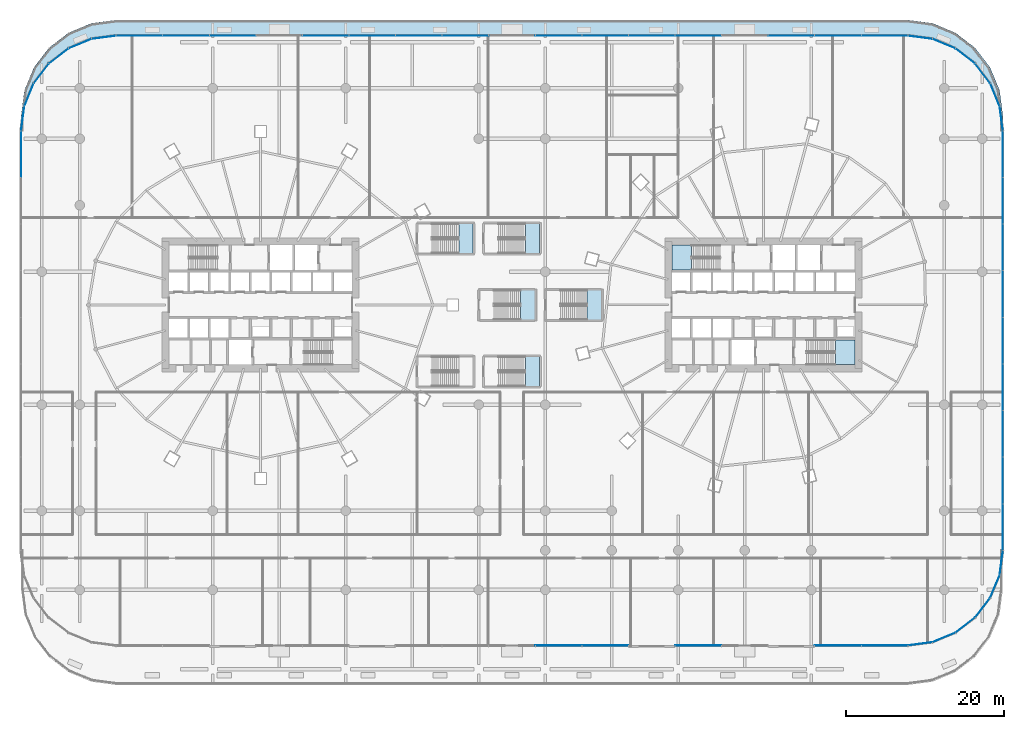
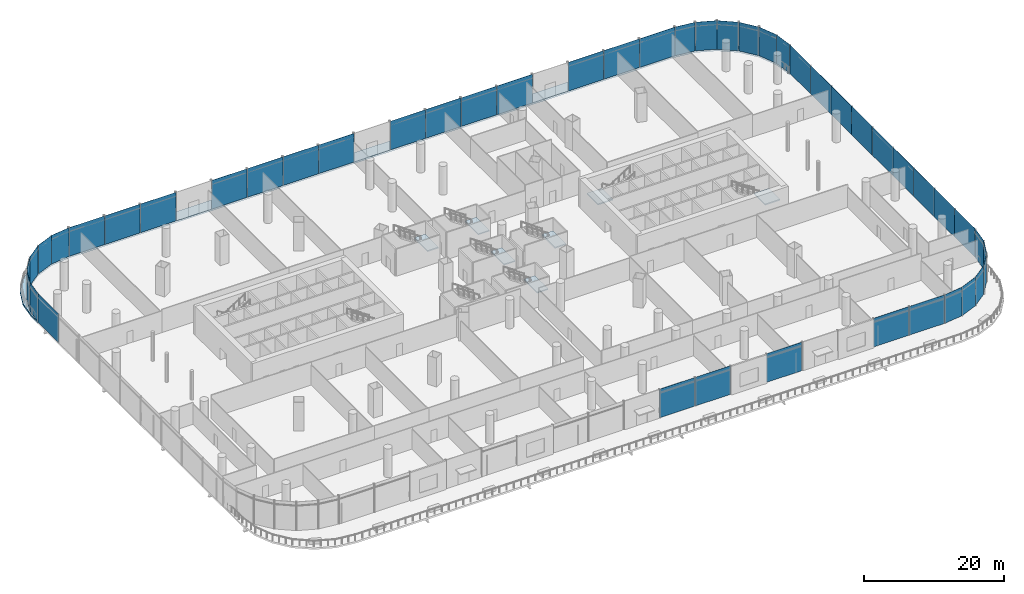
# One storey, part 32 of 51: 47 plates, 8 slabs, 8 elements without a shape of their own.
"""IFC4 building model written with IfcOpenShell, lengths in metres."""

from ifc_helpers import new_model, si_unit, direction, frame, origin, origin_2d, place, context, subcontext, project, spatial, polyline, rectangle, outline, extrude, material, layer, layer_set, type_object, element, aggregate, save


model = new_model("IFC4")

# Units and contexts
model_context = context("Model", 3, precision=1e-05, world=origin(), true_north=direction((0.0, 1.0)))
body_context = subcontext(model_context, "Body", "Model", "MODEL_VIEW")
ifc_project = project(units=[si_unit("LENGTHUNIT", "METRE"), si_unit("AREAUNIT", "SQUARE_METRE"), si_unit("VOLUMEUNIT", "CUBIC_METRE"), si_unit("PLANEANGLEUNIT", "RADIAN"), si_unit("MASSUNIT", "GRAM", prefix="KILO")], contexts=[model_context])

# Site, building, storey
site_placement = place(None, origin())
site = spatial("IfcSite", under=ifc_project, at=site_placement, CompositionType="ELEMENT")
building_placement = place(site_placement, origin())
building = spatial("IfcBuilding", under=site, at=building_placement, Name="Rimbun Link Towers", CompositionType="ELEMENT")
storey_placement = place(building_placement, frame((0.0, 0.0, 7.0)))
storey = spatial("IfcBuildingStorey", under=building, at=storey_placement, Name="L01", CompositionType="ELEMENT", Elevation=7.0)

# Curtain wall, plates
ifc_material_1 = material(Name="Aluminium 6063-T6 and low-iron glass", Category="aluminium")
curtain_wall_type = type_object("IfcCurtainWallType", Name="CW3 podium shopfront", PredefinedType="NOTDEFINED", material=ifc_material_1)
curtain_wall_placement = place(storey_placement, origin())
curtain_wall = element("IfcCurtainWall", 1, at=curtain_wall_placement, inside=storey, type_object=curtain_wall_type, Name="CW3 L01 PD", PredefinedType="NOTDEFINED")
ifc_material_2 = material(Name="Clear toughened low-iron glass", Category="glass")
ifc_layer_1 = layer(ifc_material_2, 0.02392578125)
ifc_layer_set_1 = layer_set([ifc_layer_1], Name="CW3 panel Clear toughened low-iron glass 24")
plate_type = type_object("IfcPlateType", Name="CW3 panel Clear toughened low-iron glass 24", PredefinedType="CURTAIN_PANEL", material=ifc_layer_set_1)
plate_1_placement = place(storey_placement, frame((51.554443359375, -42.807373046875, 0.0), z_axis=(0.0, 0.0, 1.0), x_axis=(-0.991444296525, -0.130530482602, 0.0)))
plate_1 = element("IfcPlate", 2, at=plate_1_placement, type_object=plate_type, Name="CW3 panel", PredefinedType="CURTAIN_PANEL", context=body_context, shape_type="SweptSolid", body=[
    extrude(rectangle(XDim=3.092529296875, YDim=0.02392578125, at=origin_2d()), origin(), (0.0, 0.0, 1.0), 5.0),
])
plate_2_placement = place(storey_placement, frame((54.557373046875, -42.002685546875, 0.0), z_axis=(0.0, 0.0, 1.0), x_axis=(-0.923881438965, -0.382678829747, 0.0)))
plate_2 = element("IfcPlate", 3, at=plate_2_placement, type_object=plate_type, Name="CW3 panel", PredefinedType="CURTAIN_PANEL", context=body_context, shape_type="SweptSolid", body=[
    extrude(rectangle(XDim=3.0927734375, YDim=0.02392578125, at=origin_2d()), origin(), (0.0, 0.0, 1.0), 5.0),
])
plate_3_placement = place(storey_placement, frame((57.25, -40.4482421875, 0.0), z_axis=(0.0, 0.0, 1.0), x_axis=(-0.793359162281, -0.608753841569, 0.0)))
plate_3 = element("IfcPlate", 4, at=plate_3_placement, type_object=plate_type, Name="CW3 panel", PredefinedType="CURTAIN_PANEL", context=body_context, shape_type="SweptSolid", body=[
    extrude(rectangle(XDim=3.092529296875, YDim=0.02392578125, at=origin_2d()), origin(), (0.0, 0.0, 1.0), 5.0),
])
plate_4_placement = place(storey_placement, frame((59.4482421875, -38.25, 0.0), z_axis=(0.0, 0.0, 1.0), x_axis=(-0.608753841569, -0.793359162281, 0.0)))
plate_4 = element("IfcPlate", 5, at=plate_4_placement, type_object=plate_type, Name="CW3 panel", PredefinedType="CURTAIN_PANEL", context=body_context, shape_type="SweptSolid", body=[
    extrude(rectangle(XDim=3.092529296875, YDim=0.02392578125, at=origin_2d()), origin(), (0.0, 0.0, 1.0), 5.0),
])
plate_5_placement = place(storey_placement, frame((61.002685546875, -35.557373046875, 0.0), z_axis=(0.0, 0.0, 1.0), x_axis=(-0.382678829747, -0.923881438965, 0.0)))
plate_5 = element("IfcPlate", 6, at=plate_5_placement, type_object=plate_type, Name="CW3 panel", PredefinedType="CURTAIN_PANEL", context=body_context, shape_type="SweptSolid", body=[
    extrude(rectangle(XDim=3.0927734375, YDim=0.02392578125, at=origin_2d()), origin(), (0.0, 0.0, 1.0), 5.0),
])
plate_6_placement = place(storey_placement, frame((61.807373046875, -32.554443359375, 0.0), z_axis=(0.0, 0.0, 1.0), x_axis=(-0.130530482602, -0.991444296525, 0.0)))
plate_6 = element("IfcPlate", 7, at=plate_6_placement, type_object=plate_type, Name="CW3 panel", PredefinedType="CURTAIN_PANEL", context=body_context, shape_type="SweptSolid", body=[
    extrude(rectangle(XDim=3.092529296875, YDim=0.02392578125, at=origin_2d()), origin(), (0.0, 0.0, 1.0), 5.0),
])
plate_7_placement = place(storey_placement, frame((62.011962890625, -28.0556640625, 0.0), z_axis=(0.0, 0.0, 1.0), x_axis=(0.0, -1.0, 0.0)))
plate_7 = element("IfcPlate", 8, at=plate_7_placement, type_object=plate_type, Name="CW3 panel", PredefinedType="CURTAIN_PANEL", context=body_context, shape_type="SweptSolid", body=[
    extrude(rectangle(XDim=5.848876953125, YDim=0.02392578125, at=origin_2d()), origin(), (0.0, 0.0, 1.0), 5.0),
])
plate_8_placement = place(storey_placement, frame((62.011962890625, -22.166748046875, 0.0), z_axis=(0.0, 0.0, 1.0), x_axis=(0.0, -1.0, 0.0)))
plate_8 = element("IfcPlate", 9, at=plate_8_placement, type_object=plate_type, Name="CW3 panel", PredefinedType="CURTAIN_PANEL", context=body_context, shape_type="SweptSolid", body=[
    extrude(rectangle(XDim=5.848876953125, YDim=0.02392578125, at=origin_2d()), origin(), (0.0, 0.0, 1.0), 5.0),
])
plate_9_placement = place(storey_placement, frame((62.011962890625, -16.27783203125, 0.0), z_axis=(0.0, 0.0, 1.0), x_axis=(0.0, -1.0, 0.0)))
plate_9 = element("IfcPlate", 10, at=plate_9_placement, type_object=plate_type, Name="CW3 panel", PredefinedType="CURTAIN_PANEL", context=body_context, shape_type="SweptSolid", body=[
    extrude(rectangle(XDim=5.848876953125, YDim=0.02392578125, at=origin_2d()), origin(), (0.0, 0.0, 1.0), 5.0),
])
plate_10_placement = place(storey_placement, frame((62.011962890625, -10.388916015625, 0.0), z_axis=(0.0, 0.0, 1.0), x_axis=(0.0, -1.0, 0.0)))
plate_10 = element("IfcPlate", 11, at=plate_10_placement, type_object=plate_type, Name="CW3 panel", PredefinedType="CURTAIN_PANEL", context=body_context, shape_type="SweptSolid", body=[
    extrude(rectangle(XDim=5.848876953125, YDim=0.02392578125, at=origin_2d()), origin(), (0.0, 0.0, 1.0), 5.0),
])
plate_11_placement = place(storey_placement, frame((62.011962890625, -4.5, 0.0), z_axis=(0.0, 0.0, 1.0), x_axis=(0.0, -1.0, 0.0)))
plate_11 = element("IfcPlate", 12, at=plate_11_placement, type_object=plate_type, Name="CW3 panel", PredefinedType="CURTAIN_PANEL", context=body_context, shape_type="SweptSolid", body=[
    extrude(rectangle(XDim=5.848876953125, YDim=0.02392578125, at=origin_2d()), origin(), (0.0, 0.0, 1.0), 5.0),
])
plate_12_placement = place(storey_placement, frame((62.011962890625, 1.388916015625, 0.0), z_axis=(0.0, 0.0, 1.0), x_axis=(0.0, -1.0, 0.0)))
plate_12 = element("IfcPlate", 13, at=plate_12_placement, type_object=plate_type, Name="CW3 panel", PredefinedType="CURTAIN_PANEL", context=body_context, shape_type="SweptSolid", body=[
    extrude(rectangle(XDim=5.848876953125, YDim=0.02392578125, at=origin_2d()), origin(), (0.0, 0.0, 1.0), 5.0),
])
plate_13_placement = place(storey_placement, frame((62.011962890625, 7.27783203125, 0.0), z_axis=(0.0, 0.0, 1.0), x_axis=(0.0, -1.0, 0.0)))
plate_13 = element("IfcPlate", 14, at=plate_13_placement, type_object=plate_type, Name="CW3 panel", PredefinedType="CURTAIN_PANEL", context=body_context, shape_type="SweptSolid", body=[
    extrude(rectangle(XDim=5.848876953125, YDim=0.02392578125, at=origin_2d()), origin(), (0.0, 0.0, 1.0), 5.0),
])
plate_14_placement = place(storey_placement, frame((62.011962890625, 13.166748046875, 0.0), z_axis=(0.0, 0.0, 1.0), x_axis=(0.0, -1.0, 0.0)))
plate_14 = element("IfcPlate", 15, at=plate_14_placement, type_object=plate_type, Name="CW3 panel", PredefinedType="CURTAIN_PANEL", context=body_context, shape_type="SweptSolid", body=[
    extrude(rectangle(XDim=5.848876953125, YDim=0.02392578125, at=origin_2d()), origin(), (0.0, 0.0, 1.0), 5.0),
])
plate_15_placement = place(storey_placement, frame((62.011962890625, 19.0556640625, 0.0), z_axis=(0.0, 0.0, 1.0), x_axis=(0.0, -1.0, 0.0)))
plate_15 = element("IfcPlate", 16, at=plate_15_placement, type_object=plate_type, Name="CW3 panel", PredefinedType="CURTAIN_PANEL", context=body_context, shape_type="SweptSolid", body=[
    extrude(rectangle(XDim=5.848876953125, YDim=0.02392578125, at=origin_2d()), origin(), (0.0, 0.0, 1.0), 5.0),
])
plate_16_placement = place(storey_placement, frame((61.807373046875, 23.554443359375, 0.0), z_axis=(0.0, 0.0, 1.0), x_axis=(0.130530482602, -0.991444296525, 0.0)))
plate_16 = element("IfcPlate", 17, at=plate_16_placement, type_object=plate_type, Name="CW3 panel", PredefinedType="CURTAIN_PANEL", context=body_context, shape_type="SweptSolid", body=[
    extrude(rectangle(XDim=3.092529296875, YDim=0.02392578125, at=origin_2d()), origin(), (0.0, 0.0, 1.0), 5.0),
])
plate_17_placement = place(storey_placement, frame((61.002685546875, 26.557373046875, 0.0), z_axis=(0.0, 0.0, 1.0), x_axis=(0.382678829747, -0.923881438965, 0.0)))
plate_17 = element("IfcPlate", 18, at=plate_17_placement, type_object=plate_type, Name="CW3 panel", PredefinedType="CURTAIN_PANEL", context=body_context, shape_type="SweptSolid", body=[
    extrude(rectangle(XDim=3.0927734375, YDim=0.02392578125, at=origin_2d()), origin(), (0.0, 0.0, 1.0), 5.0),
])
plate_18_placement = place(storey_placement, frame((59.4482421875, 29.25, 0.0), z_axis=(0.0, 0.0, 1.0), x_axis=(0.608753841569, -0.793359162281, 0.0)))
plate_18 = element("IfcPlate", 19, at=plate_18_placement, type_object=plate_type, Name="CW3 panel", PredefinedType="CURTAIN_PANEL", context=body_context, shape_type="SweptSolid", body=[
    extrude(rectangle(XDim=3.092529296875, YDim=0.02392578125, at=origin_2d()), origin(), (0.0, 0.0, 1.0), 5.0),
])
plate_19_placement = place(storey_placement, frame((57.25, 31.4482421875, 0.0), z_axis=(0.0, 0.0, 1.0), x_axis=(0.793359162281, -0.608753841569, 0.0)))
plate_19 = element("IfcPlate", 20, at=plate_19_placement, type_object=plate_type, Name="CW3 panel", PredefinedType="CURTAIN_PANEL", context=body_context, shape_type="SweptSolid", body=[
    extrude(rectangle(XDim=3.092529296875, YDim=0.02392578125, at=origin_2d()), origin(), (0.0, 0.0, 1.0), 5.0),
])
plate_20_placement = place(storey_placement, frame((54.557373046875, 33.002685546875, 0.0), z_axis=(0.0, 0.0, 1.0), x_axis=(0.923881438965, -0.382678829747, 0.0)))
plate_20 = element("IfcPlate", 21, at=plate_20_placement, type_object=plate_type, Name="CW3 panel", PredefinedType="CURTAIN_PANEL", context=body_context, shape_type="SweptSolid", body=[
    extrude(rectangle(XDim=3.0927734375, YDim=0.02392578125, at=origin_2d()), origin(), (0.0, 0.0, 1.0), 5.0),
])
plate_21_placement = place(storey_placement, frame((51.554443359375, 33.807373046875, 0.0), z_axis=(0.0, 0.0, 1.0), x_axis=(0.991444296525, -0.130530482602, 0.0)))
plate_21 = element("IfcPlate", 22, at=plate_21_placement, type_object=plate_type, Name="CW3 panel", PredefinedType="CURTAIN_PANEL", context=body_context, shape_type="SweptSolid", body=[
    extrude(rectangle(XDim=3.092529296875, YDim=0.02392578125, at=origin_2d()), origin(), (0.0, 0.0, 1.0), 5.0),
])
plate_22_placement = place(storey_placement, frame((47.058837890625, 34.011962890625, 0.0), z_axis=(0.0, 0.0, 1.0), x_axis=(1.0, 0.0, 0.0)))
plate_22 = element("IfcPlate", 23, at=plate_22_placement, type_object=plate_type, Name="CW3 panel", PredefinedType="CURTAIN_PANEL", context=body_context, shape_type="SweptSolid", body=[
    extrude(rectangle(XDim=5.84228515625, YDim=0.02392578125, at=origin_2d()), origin(), (0.0, 0.0, 1.0), 5.0),
])
plate_23_placement = place(storey_placement, frame((41.176513671875, 34.011962890625, 0.0), z_axis=(0.0, 0.0, 1.0), x_axis=(1.0, 0.0, 0.0)))
plate_23 = element("IfcPlate", 24, at=plate_23_placement, type_object=plate_type, Name="CW3 panel", PredefinedType="CURTAIN_PANEL", context=body_context, shape_type="SweptSolid", body=[
    extrude(rectangle(XDim=5.84228515625, YDim=0.02392578125, at=origin_2d()), origin(), (0.0, 0.0, 1.0), 5.0),
])
plate_24_placement = place(storey_placement, frame((35.294189453125, 34.011962890625, 0.0), z_axis=(0.0, 0.0, 1.0), x_axis=(1.0, 0.0, 0.0)))
plate_24 = element("IfcPlate", 25, at=plate_24_placement, type_object=plate_type, Name="CW3 panel", PredefinedType="CURTAIN_PANEL", context=body_context, shape_type="SweptSolid", body=[
    extrude(rectangle(XDim=5.84228515625, YDim=0.02392578125, at=origin_2d()), origin(), (0.0, 0.0, 1.0), 5.0),
])
plate_25_placement = place(storey_placement, frame((23.529296875, 34.011962890625, 0.0), z_axis=(0.0, 0.0, 1.0), x_axis=(1.0, 0.0, 0.0)))
plate_25 = element("IfcPlate", 26, at=plate_25_placement, type_object=plate_type, Name="CW3 panel", PredefinedType="CURTAIN_PANEL", context=body_context, shape_type="SweptSolid", body=[
    extrude(rectangle(XDim=5.84228515625, YDim=0.02392578125, at=origin_2d()), origin(), (0.0, 0.0, 1.0), 5.0),
])
plate_26_placement = place(storey_placement, frame((17.64697265625, 34.011962890625, 0.0), z_axis=(0.0, 0.0, 1.0), x_axis=(1.0, 0.0, 0.0)))
plate_26 = element("IfcPlate", 27, at=plate_26_placement, type_object=plate_type, Name="CW3 panel", PredefinedType="CURTAIN_PANEL", context=body_context, shape_type="SweptSolid", body=[
    extrude(rectangle(XDim=5.84228515625, YDim=0.02392578125, at=origin_2d()), origin(), (0.0, 0.0, 1.0), 5.0),
])
plate_27_placement = place(storey_placement, frame((11.7646484375, 34.011962890625, 0.0), z_axis=(0.0, 0.0, 1.0), x_axis=(1.0, 0.0, 0.0)))
plate_27 = element("IfcPlate", 28, at=plate_27_placement, type_object=plate_type, Name="CW3 panel", PredefinedType="CURTAIN_PANEL", context=body_context, shape_type="SweptSolid", body=[
    extrude(rectangle(XDim=5.84228515625, YDim=0.02392578125, at=origin_2d()), origin(), (0.0, 0.0, 1.0), 5.0),
])
plate_28_placement = place(storey_placement, frame((5.88232421875, 34.011962890625, 0.0), z_axis=(0.0, 0.0, 1.0), x_axis=(1.0, 0.0, 0.0)))
plate_28 = element("IfcPlate", 29, at=plate_28_placement, type_object=plate_type, Name="CW3 panel", PredefinedType="CURTAIN_PANEL", context=body_context, shape_type="SweptSolid", body=[
    extrude(rectangle(XDim=5.84228515625, YDim=0.02392578125, at=origin_2d()), origin(), (0.0, 0.0, 1.0), 5.0),
])
plate_29_placement = place(storey_placement, frame((-5.88232421875, 34.011962890625, 0.0), z_axis=(0.0, 0.0, 1.0), x_axis=(1.0, 0.0, 0.0)))
plate_29 = element("IfcPlate", 30, at=plate_29_placement, type_object=plate_type, Name="CW3 panel", PredefinedType="CURTAIN_PANEL", context=body_context, shape_type="SweptSolid", body=[
    extrude(rectangle(XDim=5.84228515625, YDim=0.02392578125, at=origin_2d()), origin(), (0.0, 0.0, 1.0), 5.0),
])
plate_30_placement = place(storey_placement, frame((-11.7646484375, 34.011962890625, 0.0), z_axis=(0.0, 0.0, 1.0), x_axis=(1.0, 0.0, 0.0)))
plate_30 = element("IfcPlate", 31, at=plate_30_placement, type_object=plate_type, Name="CW3 panel", PredefinedType="CURTAIN_PANEL", context=body_context, shape_type="SweptSolid", body=[
    extrude(rectangle(XDim=5.84228515625, YDim=0.02392578125, at=origin_2d()), origin(), (0.0, 0.0, 1.0), 5.0),
])
plate_31_placement = place(storey_placement, frame((-17.64697265625, 34.011962890625, 0.0), z_axis=(0.0, 0.0, 1.0), x_axis=(1.0, 0.0, 0.0)))
plate_31 = element("IfcPlate", 32, at=plate_31_placement, type_object=plate_type, Name="CW3 panel", PredefinedType="CURTAIN_PANEL", context=body_context, shape_type="SweptSolid", body=[
    extrude(rectangle(XDim=5.84228515625, YDim=0.02392578125, at=origin_2d()), origin(), (0.0, 0.0, 1.0), 5.0),
])
plate_32_placement = place(storey_placement, frame((-23.529296875, 34.011962890625, 0.0), z_axis=(0.0, 0.0, 1.0), x_axis=(1.0, 0.0, 0.0)))
plate_32 = element("IfcPlate", 33, at=plate_32_placement, type_object=plate_type, Name="CW3 panel", PredefinedType="CURTAIN_PANEL", context=body_context, shape_type="SweptSolid", body=[
    extrude(rectangle(XDim=5.84228515625, YDim=0.02392578125, at=origin_2d()), origin(), (0.0, 0.0, 1.0), 5.0),
])
plate_33_placement = place(storey_placement, frame((-35.294189453125, 34.011962890625, 0.0), z_axis=(0.0, 0.0, 1.0), x_axis=(1.0, 0.0, 0.0)))
plate_33 = element("IfcPlate", 34, at=plate_33_placement, type_object=plate_type, Name="CW3 panel", PredefinedType="CURTAIN_PANEL", context=body_context, shape_type="SweptSolid", body=[
    extrude(rectangle(XDim=5.84228515625, YDim=0.02392578125, at=origin_2d()), origin(), (0.0, 0.0, 1.0), 5.0),
])
plate_34_placement = place(storey_placement, frame((-41.176513671875, 34.011962890625, 0.0), z_axis=(0.0, 0.0, 1.0), x_axis=(1.0, 0.0, 0.0)))
plate_34 = element("IfcPlate", 35, at=plate_34_placement, type_object=plate_type, Name="CW3 panel", PredefinedType="CURTAIN_PANEL", context=body_context, shape_type="SweptSolid", body=[
    extrude(rectangle(XDim=5.84228515625, YDim=0.02392578125, at=origin_2d()), origin(), (0.0, 0.0, 1.0), 5.0),
])
plate_35_placement = place(storey_placement, frame((-47.058837890625, 34.011962890625, 0.0), z_axis=(0.0, 0.0, 1.0), x_axis=(1.0, 0.0, 0.0)))
plate_35 = element("IfcPlate", 36, at=plate_35_placement, type_object=plate_type, Name="CW3 panel", PredefinedType="CURTAIN_PANEL", context=body_context, shape_type="SweptSolid", body=[
    extrude(rectangle(XDim=5.84228515625, YDim=0.02392578125, at=origin_2d()), origin(), (0.0, 0.0, 1.0), 5.0),
])
plate_36_placement = place(storey_placement, frame((-51.554443359375, 33.807373046875, 0.0), z_axis=(0.0, 0.0, 1.0), x_axis=(0.991444296525, 0.130530482602, 0.0)))
plate_36 = element("IfcPlate", 37, at=plate_36_placement, type_object=plate_type, Name="CW3 panel", PredefinedType="CURTAIN_PANEL", context=body_context, shape_type="SweptSolid", body=[
    extrude(rectangle(XDim=3.092529296875, YDim=0.02392578125, at=origin_2d()), origin(), (0.0, 0.0, 1.0), 5.0),
])
plate_37_placement = place(storey_placement, frame((-54.557373046875, 33.002685546875, 0.0), z_axis=(0.0, 0.0, 1.0), x_axis=(0.923881438965, 0.382678829747, 0.0)))
plate_37 = element("IfcPlate", 38, at=plate_37_placement, type_object=plate_type, Name="CW3 panel", PredefinedType="CURTAIN_PANEL", context=body_context, shape_type="SweptSolid", body=[
    extrude(rectangle(XDim=3.0927734375, YDim=0.02392578125, at=origin_2d()), origin(), (0.0, 0.0, 1.0), 5.0),
])
plate_38_placement = place(storey_placement, frame((-57.25, 31.4482421875, 0.0), z_axis=(0.0, 0.0, 1.0), x_axis=(0.793359162281, 0.608753841569, 0.0)))
plate_38 = element("IfcPlate", 39, at=plate_38_placement, type_object=plate_type, Name="CW3 panel", PredefinedType="CURTAIN_PANEL", context=body_context, shape_type="SweptSolid", body=[
    extrude(rectangle(XDim=3.092529296875, YDim=0.02392578125, at=origin_2d()), origin(), (0.0, 0.0, 1.0), 5.0),
])
plate_39_placement = place(storey_placement, frame((-59.4482421875, 29.25, 0.0), z_axis=(0.0, 0.0, 1.0), x_axis=(0.608753841569, 0.793359162281, 0.0)))
plate_39 = element("IfcPlate", 40, at=plate_39_placement, type_object=plate_type, Name="CW3 panel", PredefinedType="CURTAIN_PANEL", context=body_context, shape_type="SweptSolid", body=[
    extrude(rectangle(XDim=3.092529296875, YDim=0.02392578125, at=origin_2d()), origin(), (0.0, 0.0, 1.0), 5.0),
])
plate_40_placement = place(storey_placement, frame((-61.002685546875, 26.557373046875, 0.0), z_axis=(0.0, 0.0, 1.0), x_axis=(0.382678829747, 0.923881438965, 0.0)))
plate_40 = element("IfcPlate", 41, at=plate_40_placement, type_object=plate_type, Name="CW3 panel", PredefinedType="CURTAIN_PANEL", context=body_context, shape_type="SweptSolid", body=[
    extrude(rectangle(XDim=3.0927734375, YDim=0.02392578125, at=origin_2d()), origin(), (0.0, 0.0, 1.0), 5.0),
])
plate_41_placement = place(storey_placement, frame((-61.807373046875, 23.554443359375, 0.0), z_axis=(0.0, 0.0, 1.0), x_axis=(0.130530482602, 0.991444296525, 0.0)))
plate_41 = element("IfcPlate", 42, at=plate_41_placement, type_object=plate_type, Name="CW3 panel", PredefinedType="CURTAIN_PANEL", context=body_context, shape_type="SweptSolid", body=[
    extrude(rectangle(XDim=3.092529296875, YDim=0.02392578125, at=origin_2d()), origin(), (0.0, 0.0, 1.0), 5.0),
])
plate_42_placement = place(storey_placement, frame((-62.011962890625, 19.0556640625, 0.0), z_axis=(0.0, 0.0, 1.0), x_axis=(0.0, 1.0, 0.0)))
plate_42 = element("IfcPlate", 43, at=plate_42_placement, type_object=plate_type, Name="CW3 panel", PredefinedType="CURTAIN_PANEL", context=body_context, shape_type="SweptSolid", body=[
    extrude(rectangle(XDim=5.848876953125, YDim=0.02392578125, at=origin_2d()), origin(), (0.0, 0.0, 1.0), 5.0),
])
plate_43_placement = place(storey_placement, frame((5.88232421875, -43.011962890625, 0.0), z_axis=(0.0, 0.0, 1.0), x_axis=(-1.0, 0.0, 0.0)))
plate_43 = element("IfcPlate", 44, at=plate_43_placement, type_object=plate_type, Name="CW3 panel", PredefinedType="CURTAIN_PANEL", context=body_context, shape_type="SweptSolid", body=[
    extrude(rectangle(XDim=5.84228515625, YDim=0.02392578125, at=origin_2d()), origin(), (0.0, 0.0, 1.0), 5.0),
])
plate_44_placement = place(storey_placement, frame((11.7646484375, -43.011962890625, 0.0), z_axis=(0.0, 0.0, 1.0), x_axis=(-1.0, 0.0, 0.0)))
plate_44 = element("IfcPlate", 45, at=plate_44_placement, type_object=plate_type, Name="CW3 panel", PredefinedType="CURTAIN_PANEL", context=body_context, shape_type="SweptSolid", body=[
    extrude(rectangle(XDim=5.84228515625, YDim=0.02392578125, at=origin_2d()), origin(), (0.0, 0.0, 1.0), 5.0),
])
plate_45_placement = place(storey_placement, frame((23.529296875, -43.011962890625, 0.0), z_axis=(0.0, 0.0, 1.0), x_axis=(-1.0, 0.0, 0.0)))
plate_45 = element("IfcPlate", 46, at=plate_45_placement, type_object=plate_type, Name="CW3 panel", PredefinedType="CURTAIN_PANEL", context=body_context, shape_type="SweptSolid", body=[
    extrude(rectangle(XDim=5.84228515625, YDim=0.02392578125, at=origin_2d()), origin(), (0.0, 0.0, 1.0), 5.0),
])
plate_46_placement = place(storey_placement, frame((41.176513671875, -43.011962890625, 0.0), z_axis=(0.0, 0.0, 1.0), x_axis=(-1.0, 0.0, 0.0)))
plate_46 = element("IfcPlate", 47, at=plate_46_placement, type_object=plate_type, Name="CW3 panel", PredefinedType="CURTAIN_PANEL", context=body_context, shape_type="SweptSolid", body=[
    extrude(rectangle(XDim=5.84228515625, YDim=0.02392578125, at=origin_2d()), origin(), (0.0, 0.0, 1.0), 5.0),
])
plate_47_placement = place(storey_placement, frame((47.058837890625, -43.011962890625, 0.0), z_axis=(0.0, 0.0, 1.0), x_axis=(-1.0, 0.0, 0.0)))
plate_47 = element("IfcPlate", 48, at=plate_47_placement, type_object=plate_type, Name="CW3 panel", PredefinedType="CURTAIN_PANEL", context=body_context, shape_type="SweptSolid", body=[
    extrude(rectangle(XDim=5.84228515625, YDim=0.02392578125, at=origin_2d()), origin(), (0.0, 0.0, 1.0), 5.0),
])
aggregate(curtain_wall, [plate_1, plate_2, plate_3, plate_4, plate_5, plate_6, plate_7, plate_8, plate_9, plate_10, plate_11, plate_12, plate_13, plate_14, plate_15, plate_16, plate_17, plate_18, plate_19, plate_20, plate_21, plate_22, plate_23, plate_24, plate_25, plate_26, plate_27, plate_28, plate_29, plate_30, plate_31, plate_32, plate_33, plate_34, plate_35, plate_36, plate_37, plate_38, plate_39, plate_40, plate_41, plate_42, plate_43, plate_44, plate_45, plate_46, plate_47])

# Slab
ifc_material_3 = material(Name="Concrete C40/50", Category="concrete")
ifc_layer_2 = layer(ifc_material_3, 0.300048828125)
ifc_layer_set_2 = layer_set([ifc_layer_2], Name="PODIUM TERRACE SLAB 300")
slab_type_1 = type_object("IfcSlabType", Name="PODIUM TERRACE SLAB 300", PredefinedType="FLOOR", material=ifc_layer_set_2)
slab_1_placement = place(storey_placement, frame((0.0, 0.0, -0.300048828125)))
element("IfcSlab", 49, at=slab_1_placement, inside=storey, type_object=slab_type_1, Name="Terrace slab L01", PredefinedType="FLOOR", context=body_context, shape_type="SweptSolid", body=[
    extrude(outline(polyline([(-61.591064453125, 27.105712890625), (-60.392333984375, 30.0), (-58.4853515625, 32.4853515625), (-56.0, 34.392333984375), (-53.105712890625, 35.591064453125), (-50.0, 36.0), (50.0, 36.0), (53.105712890625, 35.591064453125), (56.0, 34.392333984375), (58.4853515625, 32.4853515625), (60.392333984375, 30.0), (61.591064453125, 27.105712890625), (62.0, 24.0), (62.0, 22.0), (61.591064453125, 25.105712890625), (60.392333984375, 28.0), (58.4853515625, 30.4853515625), (56.0, 32.392333984375), (53.105712890625, 33.591064453125), (50.0, 34.0), (-50.0, 34.0), (-53.105712890625, 33.591064453125), (-56.0, 32.392333984375), (-58.4853515625, 30.4853515625), (-60.392333984375, 28.0), (-61.591064453125, 25.105712890625), (-62.0, 22.0), (-62.0, 24.0), (-61.591064453125, 27.105712890625)])), origin(), (0.0, 0.0, 1.0), 0.300048828125),
])

# Stair, slab
ifc_material_4 = material(Name="Concrete C40/50", Category="concrete")
stair_type_1 = type_object("IfcStairType", Name="Exit stair 5000 rise", PredefinedType="HALF_TURN_STAIR", material=ifc_material_4)
stair_1_placement = place(storey_placement, origin())
stair_1 = element("IfcStair", 50, at=stair_1_placement, inside=storey, type_object=stair_type_1, Name="L01 EXIT STAIR A", PredefinedType="HALF_TURN_STAIR")
ifc_material_5 = material(Name="Concrete C40/50", Category="concrete")
ifc_layer_3 = layer(ifc_material_5, 0.199951171875)
ifc_layer_set_3 = layer_set([ifc_layer_3], Name="Stair landing")
slab_type_2 = type_object("IfcSlabType", Name="Stair landing", PredefinedType="LANDING", material=ifc_layer_set_3)
slab_2_placement = place(storey_placement, frame((0.0, 0.0, 2.300048828125)))
slab_2 = element("IfcSlab", 51, at=slab_2_placement, type_object=slab_type_2, Name="ST3 landing 1", PredefinedType="LANDING", context=body_context, shape_type="SweptSolid", body=[
    extrude(outline(polyline([(22.659912109375, 7.550048828125), (20.199951171875, 7.550048828125), (20.199951171875, 4.39990234375), (22.659912109375, 4.39990234375), (22.659912109375, 7.550048828125)])), origin(), (0.0, 0.0, 1.0), 0.199951171875),
])
aggregate(stair_1, [slab_2])

stair_2_placement = place(storey_placement, origin())
stair_2 = element("IfcStair", 52, at=stair_2_placement, inside=storey, type_object=stair_type_1, Name="L01 EXIT STAIR B", PredefinedType="HALF_TURN_STAIR")
slab_3_placement = place(storey_placement, frame((0.0, 0.0, 2.300048828125)))
slab_3 = element("IfcSlab", 53, at=slab_3_placement, type_object=slab_type_2, Name="ST4 landing 1", PredefinedType="LANDING", context=body_context, shape_type="SweptSolid", body=[
    extrude(outline(polyline([(40.840087890625, -7.550048828125), (43.300048828125, -7.550048828125), (43.300048828125, -4.39990234375), (40.840087890625, -4.39990234375), (40.840087890625, -7.550048828125)])), origin(), (0.0, 0.0, 1.0), 0.199951171875),
])
aggregate(stair_2, [slab_3])

ifc_material_6 = material(Name="Concrete C40/50", Category="concrete")
stair_type_2 = type_object("IfcStairType", Name="Podium exit stair 1800", PredefinedType="HALF_TURN_STAIR", material=ifc_material_6)
stair_3_placement = place(storey_placement, origin())
stair_3 = element("IfcStair", 54, at=stair_3_placement, inside=storey, type_object=stair_type_2, Name="L01 PODIUM EXIT STAIR", PredefinedType="HALF_TURN_STAIR")
slab_4_placement = place(storey_placement, frame((0.0, 0.0, 2.300048828125)))
slab_4 = element("IfcSlab", 55, at=slab_4_placement, type_object=slab_type_2, Name="PS2 landing 1", PredefinedType="LANDING", context=body_context, shape_type="SweptSolid", body=[
    extrude(outline(polyline([(1.679931640625, -10.27490234375), (3.5, -10.27490234375), (3.5, -6.52490234375), (1.679931640625, -6.52490234375), (1.679931640625, -10.27490234375)])), origin(), (0.0, 0.0, 1.0), 0.199951171875),
])
aggregate(stair_3, [slab_4])

stair_4_placement = place(storey_placement, origin())
stair_4 = element("IfcStair", 56, at=stair_4_placement, inside=storey, type_object=stair_type_2, Name="L01 PODIUM EXIT STAIR", PredefinedType="HALF_TURN_STAIR")
slab_5_placement = place(storey_placement, frame((0.0, 0.0, 2.300048828125)))
slab_5 = element("IfcSlab", 57, at=slab_5_placement, type_object=slab_type_2, Name="PS3 landing 1", PredefinedType="LANDING", context=body_context, shape_type="SweptSolid", body=[
    extrude(outline(polyline([(-6.719970703125, 6.52490234375), (-4.89990234375, 6.52490234375), (-4.89990234375, 10.27490234375), (-6.719970703125, 10.27490234375), (-6.719970703125, 6.52490234375)])), origin(), (0.0, 0.0, 1.0), 0.199951171875),
])
aggregate(stair_4, [slab_5])

stair_5_placement = place(storey_placement, origin())
stair_5 = element("IfcStair", 58, at=stair_5_placement, inside=storey, type_object=stair_type_2, Name="L01 PODIUM EXIT STAIR", PredefinedType="HALF_TURN_STAIR")
slab_6_placement = place(storey_placement, frame((0.0, 0.0, 2.300048828125)))
slab_6 = element("IfcSlab", 59, at=slab_6_placement, type_object=slab_type_2, Name="PS4 landing 1", PredefinedType="LANDING", context=body_context, shape_type="SweptSolid", body=[
    extrude(outline(polyline([(1.679931640625, 6.52490234375), (3.5, 6.52490234375), (3.5, 10.27490234375), (1.679931640625, 10.27490234375), (1.679931640625, 6.52490234375)])), origin(), (0.0, 0.0, 1.0), 0.199951171875),
])
aggregate(stair_5, [slab_6])

stair_6_placement = place(storey_placement, origin())
stair_6 = element("IfcStair", 60, at=stair_6_placement, inside=storey, type_object=stair_type_2, Name="L01 PODIUM EXIT STAIR", PredefinedType="HALF_TURN_STAIR")
slab_7_placement = place(storey_placement, frame((0.0, 0.0, 2.300048828125)))
slab_7 = element("IfcSlab", 61, at=slab_7_placement, type_object=slab_type_2, Name="PS5 landing 1", PredefinedType="LANDING", context=body_context, shape_type="SweptSolid", body=[
    extrude(outline(polyline([(9.47998046875, -1.875), (11.300048828125, -1.875), (11.300048828125, 1.875), (9.47998046875, 1.875), (9.47998046875, -1.875)])), origin(), (0.0, 0.0, 1.0), 0.199951171875),
])
aggregate(stair_6, [slab_7])

stair_7_placement = place(storey_placement, origin())
stair_7 = element("IfcStair", 62, at=stair_7_placement, inside=storey, type_object=stair_type_2, Name="L01 PODIUM EXIT STAIR", PredefinedType="HALF_TURN_STAIR")
slab_8_placement = place(storey_placement, frame((0.0, 0.0, 2.300048828125)))
slab_8 = element("IfcSlab", 63, at=slab_8_placement, type_object=slab_type_2, Name="PS6 landing 1", PredefinedType="LANDING", context=body_context, shape_type="SweptSolid", body=[
    extrude(outline(polyline([(1.080078125, -1.875), (2.89990234375, -1.875), (2.89990234375, 1.875), (1.080078125, 1.875), (1.080078125, -1.875)])), origin(), (0.0, 0.0, 1.0), 0.199951171875),
])
aggregate(stair_7, [slab_8])

save(model, "model.ifc")
